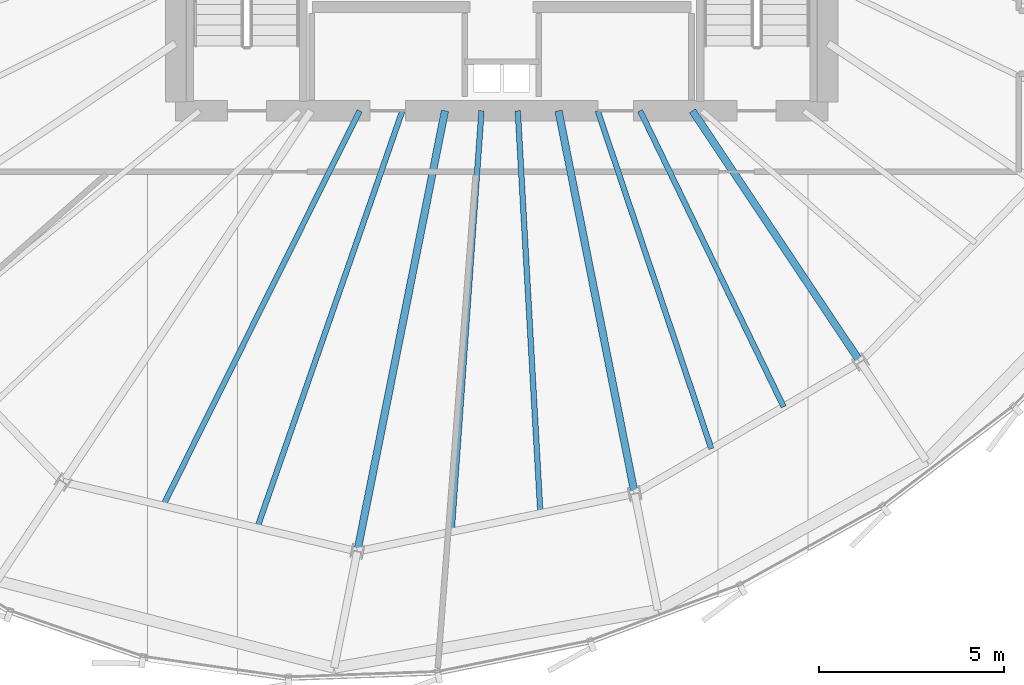
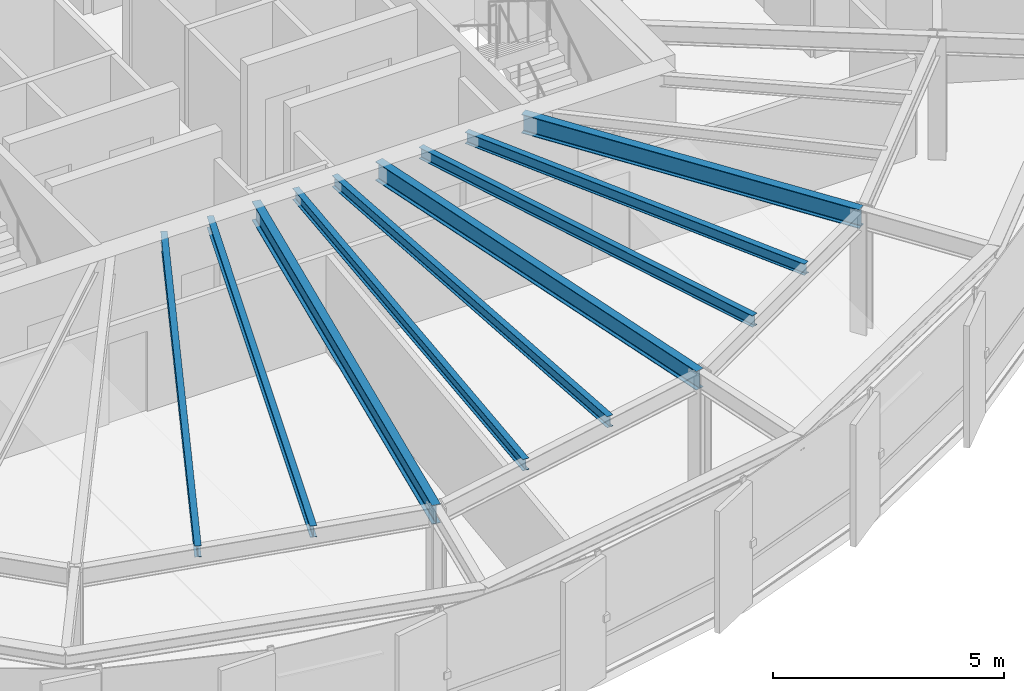
# One storey, part 9 of 37: 9 beams.
"""IFC4 building model written with IfcOpenShell, lengths in metres."""

from ifc_helpers import new_model, si_unit, direction, frame, origin, origin_2d, place, context, subcontext, project, spatial, i_section, extrude, source, transform, mapped, material, material_profile, profile_set, type_object, element, save


model = new_model("IFC4")

# Units and contexts
model_context = context("Model", 3, precision=1e-05, world=origin(), true_north=direction((0.0, 1.0)))
body_context = subcontext(model_context, "Body", "Model", "MODEL_VIEW")
ifc_project = project(units=[si_unit("LENGTHUNIT", "METRE"), si_unit("AREAUNIT", "SQUARE_METRE"), si_unit("VOLUMEUNIT", "CUBIC_METRE"), si_unit("PLANEANGLEUNIT", "RADIAN"), si_unit("MASSUNIT", "GRAM", prefix="KILO"), si_unit("THERMODYNAMICTEMPERATUREUNIT", "KELVIN")], contexts=[model_context])

# Site, building, storey
site_placement = place(None, origin())
site = spatial("IfcSite", under=ifc_project, at=site_placement, CompositionType="ELEMENT")
building_placement = place(site_placement, origin())
building = spatial("IfcBuilding", under=site, at=building_placement, Name="Kethvar Cultural Tower", CompositionType="ELEMENT")
storey_placement = place(building_placement, frame((0.0, 0.0, 200.89990234375)))
storey = spatial("IfcBuildingStorey", under=building, at=storey_placement, Name="L52", CompositionType="ELEMENT", Elevation=200.89990234375)

# Beams
ifc_material = material(Name="Steel S355J2", Category="steel")
ifc_material_profile_1 = material_profile(ifc_material, i_section(OverallWidth=0.199951171875, OverallDepth=0.5, WebThickness=0.01025390625, FlangeThickness=0.01611328125, FilletRadius=0.02099609375, at=origin_2d()), Name="Steel S355J2 — IPE500")
ifc_profile_set_1 = profile_set([ifc_material_profile_1], Name="Steel S355J2 — IPE500")
beam_type_1 = type_object("IfcBeamType", Name="BM-IPE500", PredefinedType="BEAM", material=ifc_profile_set_1)
shared_shape_1 = source(origin(), body_context, "Body", "SweptSolid", [
    extrude(i_section(OverallWidth=0.199951171875, OverallDepth=0.5, WebThickness=0.01025390625, FlangeThickness=0.01611328125, FilletRadius=0.02099609375, at=origin_2d()), origin(), (0.0, 0.0, 1.0), 12.1220703125),
])
beam_1_placement = place(storey_placement, frame((45.268310546875, 20.10009765625, 3.008056640625), z_axis=(-0.195078030057, -0.980787725346, 0.0), x_axis=(0.980787725346, -0.195078030057, 0.0)))
element("IfcBeam", 1, at=beam_1_placement, inside=storey, type_object=beam_type_1, Name="L52 Primary Radial Beam RB-12", PredefinedType="BEAM", context=body_context, shape_type="MappedRepresentation", body=[
    mapped(shared_shape_1, transform((0.0, 0.0, 0.0), scale=1.0)),
])
shared_shape_2 = source(origin(), body_context, "Body", "SweptSolid", [
    extrude(i_section(OverallWidth=0.199951171875, OverallDepth=0.5, WebThickness=0.01025390625, FlangeThickness=0.01611328125, FilletRadius=0.02099609375, at=origin_2d()), origin(), (0.0, 0.0, 1.0), 10.533935546875),
])
beam_2_placement = place(storey_placement, frame((48.33154296875, 20.10009765625, 3.008056640625), z_axis=(0.19509982917, -0.980783389265, 0.0), x_axis=(0.980783389265, 0.19509982917, 0.0)))
element("IfcBeam", 2, at=beam_2_placement, inside=storey, type_object=beam_type_1, Name="L52 Primary Radial Beam RB-13", PredefinedType="BEAM", context=body_context, shape_type="MappedRepresentation", body=[
    mapped(shared_shape_2, transform((0.0, 0.0, 0.0), scale=1.0)),
])
shared_shape_3 = source(origin(), body_context, "Body", "SweptSolid", [
    extrude(i_section(OverallWidth=0.199951171875, OverallDepth=0.5, WebThickness=0.01025390625, FlangeThickness=0.01611328125, FilletRadius=0.02099609375, at=origin_2d()), origin(), (0.0, 0.0, 1.0), 8.1533203125),
])
beam_3_placement = place(storey_placement, frame((51.945068359375, 20.10009765625, 3.008056640625), z_axis=(0.555549853936, -0.831483228809, 0.0), x_axis=(0.831483228809, 0.555549853936, 0.0)))
element("IfcBeam", 3, at=beam_3_placement, inside=storey, type_object=beam_type_1, Name="L52 Primary Radial Beam RB-14", PredefinedType="BEAM", context=body_context, shape_type="MappedRepresentation", body=[
    mapped(shared_shape_3, transform((0.0, 0.0, 0.0), scale=1.0)),
])
ifc_material_profile_2 = material_profile(ifc_material, i_section(OverallWidth=0.14990234375, OverallDepth=0.300048828125, WebThickness=0.007080078125, FlangeThickness=0.0107421875, FilletRadius=0.014892578125, at=origin_2d()), Name="Steel S355J2 — IPE300")
ifc_profile_set_2 = profile_set([ifc_material_profile_2], Name="Steel S355J2 — IPE300")
beam_type_2 = type_object("IfcBeamType", Name="BM-J300", PredefinedType="JOIST", material=ifc_profile_set_2)
shared_shape_4 = source(origin(), body_context, "Body", "SweptSolid", [
    extrude(i_section(OverallWidth=0.14990234375, OverallDepth=0.300048828125, WebThickness=0.007080078125, FlangeThickness=0.0107421875, FilletRadius=0.014892578125, at=origin_2d()), origin(), (0.0, 0.0, 1.0), 11.900146484375),
])
beam_4_placement = place(storey_placement, frame((42.96630859375, 20.10009765625, 3.108154296875), z_axis=(-0.445686564233, -0.89518907861, 0.0), x_axis=(0.89518907861, -0.445686564233, 0.0)))
element("IfcBeam", 4, at=beam_4_placement, inside=storey, type_object=beam_type_2, Name="L52 Composite Floor Joist J-11A", PredefinedType="JOIST", context=body_context, shape_type="MappedRepresentation", body=[
    mapped(shared_shape_4, transform((0.0, 0.0, 0.0), scale=1.0)),
])
shared_shape_5 = source(origin(), body_context, "Body", "SweptSolid", [
    extrude(i_section(OverallWidth=0.14990234375, OverallDepth=0.300048828125, WebThickness=0.007080078125, FlangeThickness=0.0107421875, FilletRadius=0.014892578125, at=origin_2d()), origin(), (0.0, 0.0, 1.0), 11.914306640625),
])
beam_5_placement = place(storey_placement, frame((44.1201171875, 20.10009765625, 3.108154296875), z_axis=(-0.328722490218, -0.944426558513, 0.0), x_axis=(0.944426558513, -0.328722490218, 0.0)))
element("IfcBeam", 5, at=beam_5_placement, inside=storey, type_object=beam_type_2, Name="L52 Composite Floor Joist J-11B", PredefinedType="JOIST", context=body_context, shape_type="MappedRepresentation", body=[
    mapped(shared_shape_5, transform((0.0, 0.0, 0.0), scale=1.0)),
])
shared_shape_6 = source(origin(), body_context, "Body", "SweptSolid", [
    extrude(i_section(OverallWidth=0.14990234375, OverallDepth=0.300048828125, WebThickness=0.007080078125, FlangeThickness=0.0107421875, FilletRadius=0.014892578125, at=origin_2d()), origin(), (0.0, 0.0, 1.0), 11.38818359375),
])
beam_6_placement = place(storey_placement, frame((46.253662109375, 20.10009765625, 3.108154296875), z_axis=(-0.070767133242, -0.99749286356, 0.0), x_axis=(0.99749286356, -0.070767133242, 0.0)))
element("IfcBeam", 6, at=beam_6_placement, inside=storey, type_object=beam_type_2, Name="L52 Composite Floor Joist J-12A", PredefinedType="JOIST", context=body_context, shape_type="MappedRepresentation", body=[
    mapped(shared_shape_6, transform((0.0, 0.0, 0.0), scale=1.0)),
])
shared_shape_7 = source(origin(), body_context, "Body", "SweptSolid", [
    extrude(i_section(OverallWidth=0.14990234375, OverallDepth=0.300048828125, WebThickness=0.007080078125, FlangeThickness=0.0107421875, FilletRadius=0.014892578125, at=origin_2d()), origin(), (0.0, 0.0, 1.0), 10.878173828125),
])
beam_7_placement = place(storey_placement, frame((47.232421875, 20.10009765625, 3.108154296875), z_axis=(0.056062922639, -0.998427237562, 0.0), x_axis=(0.998427237562, 0.056062922639, 0.0)))
element("IfcBeam", 7, at=beam_7_placement, inside=storey, type_object=beam_type_2, Name="L52 Composite Floor Joist J-12B", PredefinedType="JOIST", context=body_context, shape_type="MappedRepresentation", body=[
    mapped(shared_shape_7, transform((0.0, 0.0, 0.0), scale=1.0)),
])
shared_shape_8 = source(origin(), body_context, "Body", "SweptSolid", [
    extrude(i_section(OverallWidth=0.14990234375, OverallDepth=0.300048828125, WebThickness=0.007080078125, FlangeThickness=0.0107421875, FilletRadius=0.014892578125, at=origin_2d()), origin(), (0.0, 0.0, 1.0), 9.625732421875),
])
beam_8_placement = place(storey_placement, frame((49.388916015625, 20.10009765625, 3.108154296875), z_axis=(0.31869202774, -0.947858318239, 0.0), x_axis=(0.947858318239, 0.31869202774, 0.0)))
element("IfcBeam", 8, at=beam_8_placement, inside=storey, type_object=beam_type_2, Name="L52 Composite Floor Joist J-13A", PredefinedType="JOIST", context=body_context, shape_type="MappedRepresentation", body=[
    mapped(shared_shape_8, transform((0.0, 0.0, 0.0), scale=1.0)),
])
shared_shape_9 = source(origin(), body_context, "Body", "SweptSolid", [
    extrude(i_section(OverallWidth=0.14990234375, OverallDepth=0.300048828125, WebThickness=0.007080078125, FlangeThickness=0.0107421875, FilletRadius=0.014892578125, at=origin_2d()), origin(), (0.0, 0.0, 1.0), 8.8759765625),
])
beam_9_placement = place(storey_placement, frame((50.532958984375, 20.10009765625, 3.108154296875), z_axis=(0.436210743691, -0.899844534955, 0.0), x_axis=(0.899844534955, 0.436210743691, 0.0)))
element("IfcBeam", 9, at=beam_9_placement, inside=storey, type_object=beam_type_2, Name="L52 Composite Floor Joist J-13B", PredefinedType="JOIST", context=body_context, shape_type="MappedRepresentation", body=[
    mapped(shared_shape_9, transform((0.0, 0.0, 0.0), scale=1.0)),
])

save(model, "model.ifc")
